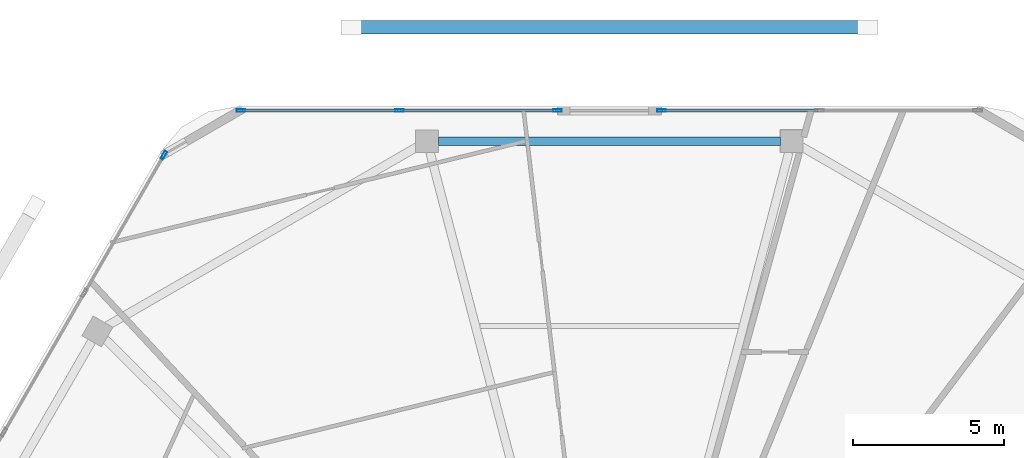
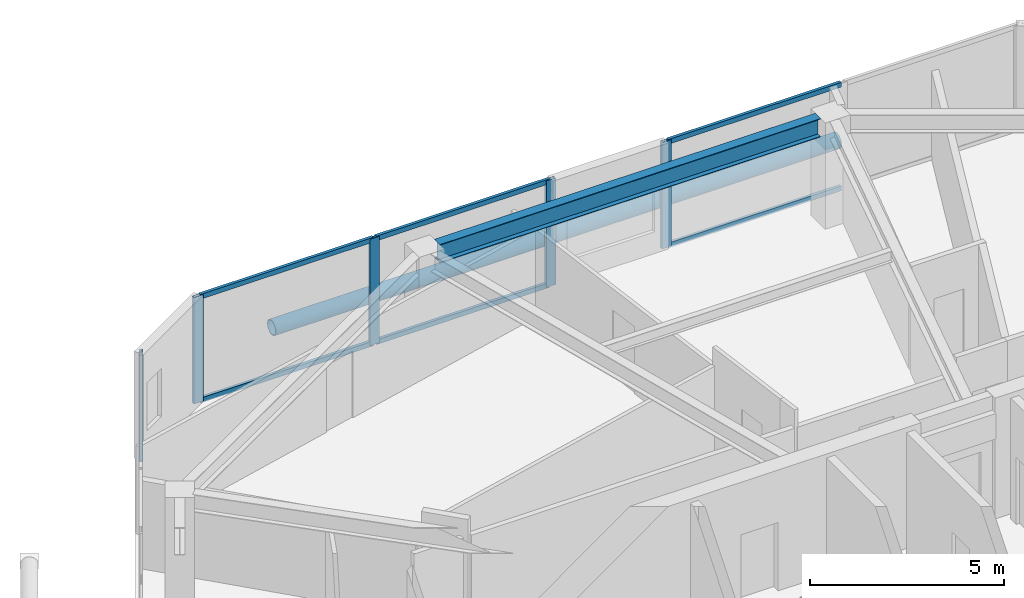
# One storey, part 11 of 22: 12 members, 1 beam, 3 elements without a shape of their own.
"""IFC4 building model written with IfcOpenShell, lengths in metres."""

import ifcopenshell
import ifcopenshell.guid

model = None  # the IFC model being written
_history = None  # IfcOwnerHistory: only IFC2X3 demands one
_inside = {}  # id of a spatial element -> (the spatial element, [elements in it])
_under = {}  # id of a project, library or spatial element -> (it, [spatial elements below it])
_declared = {}  # id of a project -> (the project, [libraries it declares])
_typed = {}  # id of a type object -> (the type object, [elements of that type])
_made_of = {}  # id of a material, layer set ... -> (it, [elements and type objects made of it])


def new_model(schema):
    """Start an empty IFC model of exactly this schema.

    Asked for "IFC4X3", IfcOpenShell would pick the latest addendum, in which some entities
    have other attributes; the version numbers below select the first issue.
    IFC2X3 requires an IfcOwnerHistory on every rooted entity: one is made here for all.
    """
    global model, _history
    if schema == "IFC4X3":
        model = ifcopenshell.file(schema_version=(4, 3, 0, 0))
    else:
        model = ifcopenshell.file(schema=schema)
    _inside.clear()
    _under.clear()
    _declared.clear()
    _typed.clear()
    _made_of.clear()
    _history = None
    if model.schema == "IFC2X3":
        org = make("IfcOrganization", Name="unknown")
        user = make(
            "IfcPersonAndOrganization",
            ThePerson=make("IfcPerson", FamilyName="unknown"),
            TheOrganization=org,
        )
        app = make(
            "IfcApplication",
            ApplicationDeveloper=org,
            Version="unknown",
            ApplicationFullName="unknown",
            ApplicationIdentifier="unknown",
        )
        _history = make(
            "IfcOwnerHistory",
            OwningUser=user,
            OwningApplication=app,
            ChangeAction="ADDED",
            CreationDate=0,
        )
    return model


def make(cls, **values):
    """One entity of the class cls with the attributes given. An attribute that is None is left unset."""
    return model.create_entity(
        cls, **{name: value for name, value in values.items() if value is not None}
    )


def rooted(cls, **values):
    """An entity with a GlobalId (a new one), such as an element, a storey or a relation."""
    return make(cls, GlobalId=ifcopenshell.guid.new(), OwnerHistory=_history, **values)


def si_unit(unit_type, name, prefix=None):
    """IfcSIUnit, for example si_unit("LENGTHUNIT", "METRE", prefix="MILLI")."""
    return make("IfcSIUnit", UnitType=unit_type, Prefix=prefix, Name=name)


def assignment(units):
    """IfcUnitAssignment: the units of a project."""
    return None if units is None else make("IfcUnitAssignment", Units=units)


def point(xyz):
    """IfcCartesianPoint."""
    return None if xyz is None else make("IfcCartesianPoint", Coordinates=xyz)


def direction(xyz):
    """IfcDirection."""
    return None if xyz is None else make("IfcDirection", DirectionRatios=xyz)


def frame(location, z_axis=None, x_axis=None):
    """IfcAxis2Placement3D, a coordinate frame: its origin and axes. An axis left out is left unset."""
    return make(
        "IfcAxis2Placement3D",
        Location=point(location),
        Axis=direction(z_axis),
        RefDirection=direction(x_axis),
    )


def frame_2d(location, x_axis=None):
    """IfcAxis2Placement2D, a coordinate frame in the plane: its origin and x axis."""
    return make(
        "IfcAxis2Placement2D", Location=point(location), RefDirection=direction(x_axis)
    )


def origin():
    """The frame at (0, 0, 0) with its axes left unset."""
    return frame((0.0, 0.0, 0.0))


def origin_2d():
    """The frame at (0, 0) in the plane with its x axis left unset."""
    return frame_2d((0.0, 0.0))


def place(relative_to, where):
    """IfcLocalPlacement: puts the frame where relative to a parent placement (None: the world)."""
    return make(
        "IfcLocalPlacement", PlacementRelTo=relative_to, RelativePlacement=where
    )


def context(
    kind, dimensions, precision=None, world=None, true_north=None, identifier=None
):
    """IfcGeometricRepresentationContext, for example the 3D "Model" context."""
    return make(
        "IfcGeometricRepresentationContext",
        ContextIdentifier=identifier,
        ContextType=kind,
        CoordinateSpaceDimension=dimensions,
        Precision=precision,
        WorldCoordinateSystem=world,
        TrueNorth=true_north,
    )


def subcontext(parent, identifier, kind, view, scale=None):
    """IfcGeometricRepresentationSubContext, for example "Body" below "Model"."""
    return make(
        "IfcGeometricRepresentationSubContext",
        ContextIdentifier=identifier,
        ContextType=kind,
        ParentContext=parent,
        TargetScale=scale,
        TargetView=view,
    )


def project(units=None, contexts=None):
    """IfcProject with its units and contexts."""
    return rooted(
        "IfcProject",
        Name="project",
        RepresentationContexts=contexts,
        UnitsInContext=assignment(units),
    )


def spatial(cls, under=None, at=None, **own):
    """A site, building, storey or space (cls), placed at a placement, below another one or the project."""
    s = rooted(cls, ObjectPlacement=at, **own)
    if under is not None:
        _under.setdefault(under.id(), (under, []))[1].append(s)
    return s


def profile(cls, at=None, kind="AREA", **sizes):
    """A parametric profile (cls). Its sizes go by their IFC names, for example OverallWidth=200.0."""
    return make(cls, ProfileType=kind, Position=at, **sizes)


def hollow_rectangle(**sizes):
    """IfcRectangleHollowProfileDef."""
    return profile("IfcRectangleHollowProfileDef", **sizes)


def hollow_circle(**sizes):
    """IfcCircleHollowProfileDef."""
    return profile("IfcCircleHollowProfileDef", **sizes)


def i_section(**sizes):
    """IfcIShapeProfileDef."""
    return profile("IfcIShapeProfileDef", **sizes)


def extrude(swept, where, along, depth):
    """IfcExtrudedAreaSolid: the profile swept, set in the frame where, extruded along a direction by depth."""
    return make(
        "IfcExtrudedAreaSolid",
        SweptArea=swept,
        Position=where,
        ExtrudedDirection=direction(along),
        Depth=depth,
    )


def shape(context_of_items, identifier, shape_type, items):
    """IfcShapeRepresentation: the items that make up one representation, for example the "Body"."""
    return make(
        "IfcShapeRepresentation",
        ContextOfItems=context_of_items,
        RepresentationIdentifier=identifier,
        RepresentationType=shape_type,
        Items=items,
    )


def material(Name=None, Category=None):
    """IfcMaterial."""
    return make("IfcMaterial", Name=Name, Category=Category)


def material_profile(
    of_material, cross_section, Name=None, Category=None, Priority=None
):
    """IfcMaterialProfile: a cross section and its material."""
    return make(
        "IfcMaterialProfile",
        Name=Name,
        Material=of_material,
        Profile=cross_section,
        Priority=Priority,
        Category=Category,
    )


def profile_set(profiles, Name=None, composite=None):
    """IfcMaterialProfileSet."""
    return make(
        "IfcMaterialProfileSet",
        Name=Name,
        MaterialProfiles=profiles,
        CompositeProfile=composite,
    )


def made_of(thing, what):
    """Note that an element or type object is made of a material, layer set ...; save() writes the relation."""
    if what is not None:
        _made_of.setdefault(what.id(), (what, []))[1].append(thing)
    return thing


def type_object(cls, material=None, **own):
    """A type object (cls), such as IfcWallType, which elements share."""
    return made_of(rooted(cls, **own), material)


def element(
    cls,
    number,
    at=None,
    inside=None,
    cuts=None,
    type_object=None,
    material=None,
    context=None,
    identifier="Body",
    shape_type=None,
    held_by="IfcProductDefinitionShape",
    body=None,
    shapes=None,
    **own,
):
    """One element of the class cls, such as IfcWall. Its Tag is "e" and its number.

    at: its placement. inside: the storey or other place that contains it. cuts: it is an
    opening in that element (IfcRelVoidsElement). A single representation is given by context,
    identifier, shape_type and body (its items); several are given by shapes. held_by: the class
    of the entity that holds the representations. save() writes the other relations.
    """
    e = rooted(cls, Tag="e%d" % number, ObjectPlacement=at, **own)
    if body is not None:
        shapes = [shape(context, identifier, shape_type, body)]
    if shapes is not None:
        e.Representation = make(held_by, Representations=shapes)
    if inside is not None:
        _inside.setdefault(inside.id(), (inside, []))[1].append(e)
    if cuts is not None:
        rooted(
            "IfcRelVoidsElement", RelatingBuildingElement=cuts, RelatedOpeningElement=e
        )
    if type_object is not None:
        _typed.setdefault(type_object.id(), (type_object, []))[1].append(e)
    return made_of(e, material)


def aggregate(whole, parts):
    """IfcRelAggregates: a whole, such as a stair, and the parts it consists of."""
    return rooted("IfcRelAggregates", RelatingObject=whole, RelatedObjects=parts)


def save(model, path):
    """Write the relations noted so far, then the file.

    IfcRelAggregates (storeys below a building ...), IfcRelContainedInSpatialStructure (elements
    in a storey), IfcRelDefinesByType, IfcRelAssociatesMaterial and IfcRelDeclares: one each for
    every whole, place, type object, material and project.
    """
    for whole, parts in _under.values():
        aggregate(whole, parts)
    for where, things in _inside.values():
        rooted(
            "IfcRelContainedInSpatialStructure",
            RelatedElements=things,
            RelatingStructure=where,
        )
    for kind, things in _typed.values():
        rooted("IfcRelDefinesByType", RelatedObjects=things, RelatingType=kind)
    for what, things in _made_of.values():
        rooted("IfcRelAssociatesMaterial", RelatedObjects=things, RelatingMaterial=what)
    for by, libraries in _declared.values():
        rooted("IfcRelDeclares", RelatingContext=by, RelatedDefinitions=libraries)
    model.write(path)


model = new_model("IFC4")

# Units and contexts
model_context = context("Model", 3, precision=1e-05, world=origin(), true_north=direction((0.0, 1.0)))
body_context = subcontext(model_context, "Body", "Model", "MODEL_VIEW")
ifc_project = project(units=[si_unit("LENGTHUNIT", "METRE"), si_unit("AREAUNIT", "SQUARE_METRE"), si_unit("VOLUMEUNIT", "CUBIC_METRE"), si_unit("PLANEANGLEUNIT", "RADIAN"), si_unit("MASSUNIT", "GRAM", prefix="KILO")], contexts=[model_context])

# Site, building, storey
site_placement = place(None, origin())
site = spatial("IfcSite", under=ifc_project, at=site_placement, CompositionType="ELEMENT")
building_placement = place(site_placement, origin())
building = spatial("IfcBuilding", under=site, at=building_placement, Name="Zuhravey Tower", CompositionType="ELEMENT")
storey_placement = place(building_placement, frame((0.0, 0.0, 357.60009765625)))
storey = spatial("IfcBuildingStorey", under=building, at=storey_placement, Name="L91", CompositionType="ELEMENT", Elevation=357.60009765625)

# Curtain wall, member
ifc_material_1 = material(Name="Thermally broken anodised aluminium", Category="aluminium")
curtain_wall_type = type_object("IfcCurtainWallType", Name="Zone 3-4 High-Rise Curtain Wall CW4", PredefinedType="NOTDEFINED", material=ifc_material_1)
curtain_wall_1_placement = place(storey_placement, origin())
curtain_wall_1 = element("IfcCurtainWall", 1, at=curtain_wall_1_placement, inside=storey, type_object=curtain_wall_type, Name="L91 CW4 CW-L91-F3-2", PredefinedType="NOTDEFINED")
ifc_material_2 = material(Name="Anodised aluminium", Category="aluminium")
ifc_material_profile_1 = material_profile(ifc_material_2, hollow_rectangle(XDim=0.090087890625, YDim=0.284912109375, WallThickness=0.0048828125, at=origin_2d()), Name="ALU-RHS-90x285x5")
ifc_profile_set_1 = profile_set([ifc_material_profile_1], Name="Anodised aluminium")
member_type_1 = type_object("IfcMemberType", Name="Curtain-Wall Mullion 90x180", PredefinedType="MULLION", material=ifc_profile_set_1)
member_1_placement = place(storey_placement, frame((21.248291015625, 54.59765625, 0.0), z_axis=(0.0, 0.0, 1.0), x_axis=(-0.866026049878, 0.499998880931, 0.0)))
member_1 = element("IfcMember", 2, at=member_1_placement, type_object=member_type_1, Name="CW4 mullion 4", PredefinedType="MULLION", context=body_context, shape_type="SweptSolid", body=[
    extrude(hollow_rectangle(XDim=0.090087890625, YDim=0.284912109375, WallThickness=0.0048828125, at=origin_2d()), origin(), (0.0, 0.0, 1.0), 3.349853515625),
])
aggregate(curtain_wall_1, [member_1])

# Curtain wall, members
curtain_wall_2_placement = place(storey_placement, origin())
curtain_wall_2 = element("IfcCurtainWall", 3, at=curtain_wall_2_placement, inside=storey, type_object=curtain_wall_type, Name="L91 CW4 CW-L91-F2-1", PredefinedType="NOTDEFINED")
member_2_placement = place(storey_placement, frame((23.8056640625, 56.07421875, 0.0), z_axis=(0.0, 0.0, 1.0), x_axis=(0.0, 1.0, 0.0)))
member_2 = element("IfcMember", 4, at=member_2_placement, type_object=member_type_1, Name="CW4 mullion 1", PredefinedType="MULLION", context=body_context, shape_type="SweptSolid", body=[
    extrude(hollow_rectangle(XDim=0.090087890625, YDim=0.284912109375, WallThickness=0.0048828125, at=origin_2d()), origin(), (0.0, 0.0, 1.0), 3.349853515625),
])
member_3_placement = place(storey_placement, frame((29.04296875, 56.07421875, 0.0), z_axis=(0.0, 0.0, 1.0), x_axis=(0.0, 1.0, 0.0)))
member_3 = element("IfcMember", 5, at=member_3_placement, type_object=member_type_1, Name="CW4 mullion 2", PredefinedType="MULLION", context=body_context, shape_type="SweptSolid", body=[
    extrude(hollow_rectangle(XDim=0.090087890625, YDim=0.284912109375, WallThickness=0.0048828125, at=origin_2d()), origin(), (0.0, 0.0, 1.0), 3.349853515625),
])
member_4_placement = place(storey_placement, frame((34.280029296875, 56.07421875, 0.0), z_axis=(0.0, 0.0, 1.0), x_axis=(0.0, 1.0, 0.0)))
member_4 = element("IfcMember", 6, at=member_4_placement, type_object=member_type_1, Name="CW4 mullion 3", PredefinedType="MULLION", context=body_context, shape_type="SweptSolid", body=[
    extrude(hollow_rectangle(XDim=0.090087890625, YDim=0.284912109375, WallThickness=0.0048828125, at=origin_2d()), origin(), (0.0, 0.0, 1.0), 3.349853515625),
])

# Curtain wall, member
curtain_wall_3_placement = place(storey_placement, origin())
curtain_wall_3 = element("IfcCurtainWall", 7, at=curtain_wall_3_placement, inside=storey, type_object=curtain_wall_type, Name="L91 CW4 CW-L91-F2-2", PredefinedType="NOTDEFINED")
member_5_placement = place(storey_placement, frame((37.719970703125, 56.07421875, 0.0), z_axis=(0.0, 0.0, 1.0), x_axis=(0.0, 1.0, 0.0)))
member_5 = element("IfcMember", 8, at=member_5_placement, type_object=member_type_1, Name="CW4 mullion 1", PredefinedType="MULLION", context=body_context, shape_type="SweptSolid", body=[
    extrude(hollow_rectangle(XDim=0.090087890625, YDim=0.284912109375, WallThickness=0.0048828125, at=origin_2d()), origin(), (0.0, 0.0, 1.0), 3.349853515625),
])

# Member
ifc_material_profile_2 = material_profile(ifc_material_2, hollow_rectangle(XDim=0.090087890625, YDim=0.14990234375, WallThickness=0.0048828125, at=origin_2d()), Name="ALU-RHS-90x150x5")
ifc_profile_set_2 = profile_set([ifc_material_profile_2], Name="Anodised aluminium")
member_type_2 = type_object("IfcMemberType", Name="Curtain-Wall Transom 90x150", PredefinedType="USERDEFINED", material=ifc_profile_set_2)
member_6_placement = place(storey_placement, frame((23.8505859375, 56.07421875, 0.044921875), z_axis=(1.0, 0.0, 0.0), x_axis=(0.0, 1.0, 0.0)))
member_6 = element("IfcMember", 9, at=member_6_placement, type_object=member_type_2, Name="CW4 transom 1.1", ObjectType="TRANSOM", PredefinedType="USERDEFINED", context=body_context, shape_type="SweptSolid", body=[
    extrude(hollow_rectangle(XDim=0.090087890625, YDim=0.14990234375, WallThickness=0.0048828125, at=origin_2d()), origin(), (0.0, 0.0, 1.0), 5.147216796875),
])

member_7_placement = place(storey_placement, frame((23.8505859375, 56.07421875, 3.304931640625), z_axis=(1.0, 0.0, 0.0), x_axis=(0.0, 1.0, 0.0)))
member_7 = element("IfcMember", 10, at=member_7_placement, type_object=member_type_2, Name="CW4 transom 1.2", ObjectType="TRANSOM", PredefinedType="USERDEFINED", context=body_context, shape_type="SweptSolid", body=[
    extrude(hollow_rectangle(XDim=0.090087890625, YDim=0.14990234375, WallThickness=0.0048828125, at=origin_2d()), origin(), (0.0, 0.0, 1.0), 5.147216796875),
])

member_8_placement = place(storey_placement, frame((29.087890625, 56.07421875, 0.044921875), z_axis=(1.0, 0.0, 0.0), x_axis=(0.0, 1.0, 0.0)))
member_8 = element("IfcMember", 11, at=member_8_placement, type_object=member_type_2, Name="CW4 transom 2.1", ObjectType="TRANSOM", PredefinedType="USERDEFINED", context=body_context, shape_type="SweptSolid", body=[
    extrude(hollow_rectangle(XDim=0.090087890625, YDim=0.14990234375, WallThickness=0.0048828125, at=origin_2d()), origin(), (0.0, 0.0, 1.0), 5.147216796875),
])

member_9_placement = place(storey_placement, frame((29.087890625, 56.07421875, 3.304931640625), z_axis=(1.0, 0.0, 0.0), x_axis=(0.0, 1.0, 0.0)))
member_9 = element("IfcMember", 12, at=member_9_placement, type_object=member_type_2, Name="CW4 transom 2.2", ObjectType="TRANSOM", PredefinedType="USERDEFINED", context=body_context, shape_type="SweptSolid", body=[
    extrude(hollow_rectangle(XDim=0.090087890625, YDim=0.14990234375, WallThickness=0.0048828125, at=origin_2d()), origin(), (0.0, 0.0, 1.0), 5.147216796875),
])

aggregate(curtain_wall_2, [member_2, member_3, member_4, member_6, member_7, member_8, member_9])

member_10_placement = place(storey_placement, frame((37.764892578125, 56.07421875, 0.044921875), z_axis=(1.0, 0.0, 0.0), x_axis=(0.0, 1.0, 0.0)))
member_10 = element("IfcMember", 13, at=member_10_placement, type_object=member_type_2, Name="CW4 transom 1.1", ObjectType="TRANSOM", PredefinedType="USERDEFINED", context=body_context, shape_type="SweptSolid", body=[
    extrude(hollow_rectangle(XDim=0.090087890625, YDim=0.14990234375, WallThickness=0.0048828125, at=origin_2d()), origin(), (0.0, 0.0, 1.0), 5.147216796875),
])

member_11_placement = place(storey_placement, frame((37.764892578125, 56.07421875, 3.304931640625), z_axis=(1.0, 0.0, 0.0), x_axis=(0.0, 1.0, 0.0)))
member_11 = element("IfcMember", 14, at=member_11_placement, type_object=member_type_2, Name="CW4 transom 1.2", ObjectType="TRANSOM", PredefinedType="USERDEFINED", context=body_context, shape_type="SweptSolid", body=[
    extrude(hollow_rectangle(XDim=0.090087890625, YDim=0.14990234375, WallThickness=0.0048828125, at=origin_2d()), origin(), (0.0, 0.0, 1.0), 5.147216796875),
])

aggregate(curtain_wall_3, [member_5, member_10, member_11])

ifc_material_3 = material(Name="Steel SM355", Category="steel")
ifc_material_profile_3 = material_profile(ifc_material_3, hollow_circle(Radius=0.228515625, WallThickness=0.02197265625, at=origin_2d()), Name="CHS-457.2x22")
ifc_profile_set_3 = profile_set([ifc_material_profile_3], Name="Steel SM355")
member_type_3 = type_object("IfcMemberType", Name="Exoskeleton Ring Tie CHS457x22", PredefinedType="CHORD", material=ifc_profile_set_3)
member_12_placement = place(storey_placement, frame((44.409423828125, 58.833984375, -0.6640625), z_axis=(-1.0, 0.0, 0.0), x_axis=(0.0, -1.0, 0.0)))
element("IfcMember", 15, at=member_12_placement, inside=storey, type_object=member_type_3, Name="L91 Exoskeleton Face 2 Tie EXR1", PredefinedType="CHORD", context=body_context, shape_type="SweptSolid", body=[
    extrude(hollow_circle(Radius=0.228515625, WallThickness=0.02197265625, at=origin_2d()), origin(), (0.0, 0.0, 1.0), 16.81884765625),
])

# Beam
ifc_material_profile_4 = material_profile(ifc_material_3, i_section(OverallWidth=0.280029296875, OverallDepth=0.580078125, WebThickness=0.011962890625, FlangeThickness=0.01904296875, at=origin_2d()), Name="H-580x280x12x19")
ifc_profile_set_4 = profile_set([ifc_material_profile_4], Name="Steel SM355")
beam_type = type_object("IfcBeamType", Name="Perimeter Ring Beam H580x280", PredefinedType="BEAM", material=ifc_profile_set_4)
beam_placement = place(storey_placement, frame((41.66064453125, 55.064208984375, 3.059814453125), z_axis=(-1.0, 0.0, 0.0), x_axis=(0.0, -1.0, 0.0)))
element("IfcBeam", 16, at=beam_placement, inside=storey, type_object=beam_type, Name="L91 PB4 BM-L91-PB-03", PredefinedType="BEAM", context=body_context, shape_type="SweptSolid", body=[
    extrude(i_section(OverallWidth=0.280029296875, OverallDepth=0.580078125, WebThickness=0.011962890625, FlangeThickness=0.01904296875, at=origin_2d()), origin(), (0.0, 0.0, 1.0), 11.3212890625),
])

save(model, "model.ifc")
